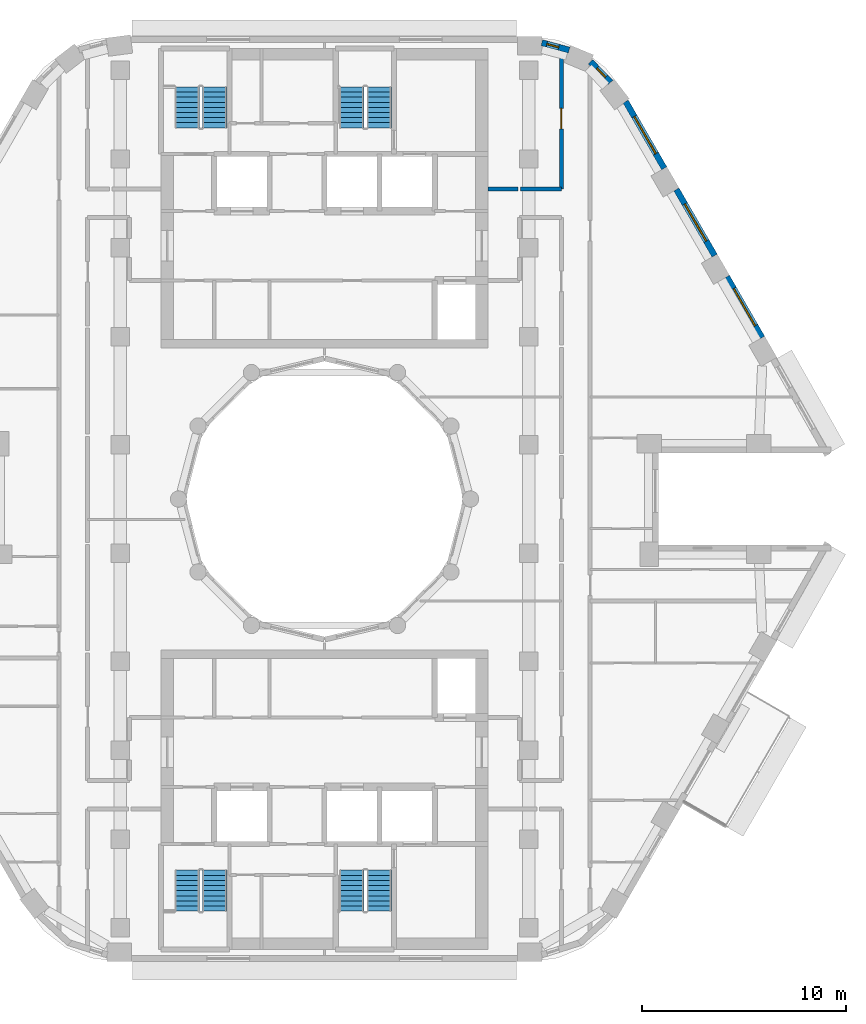
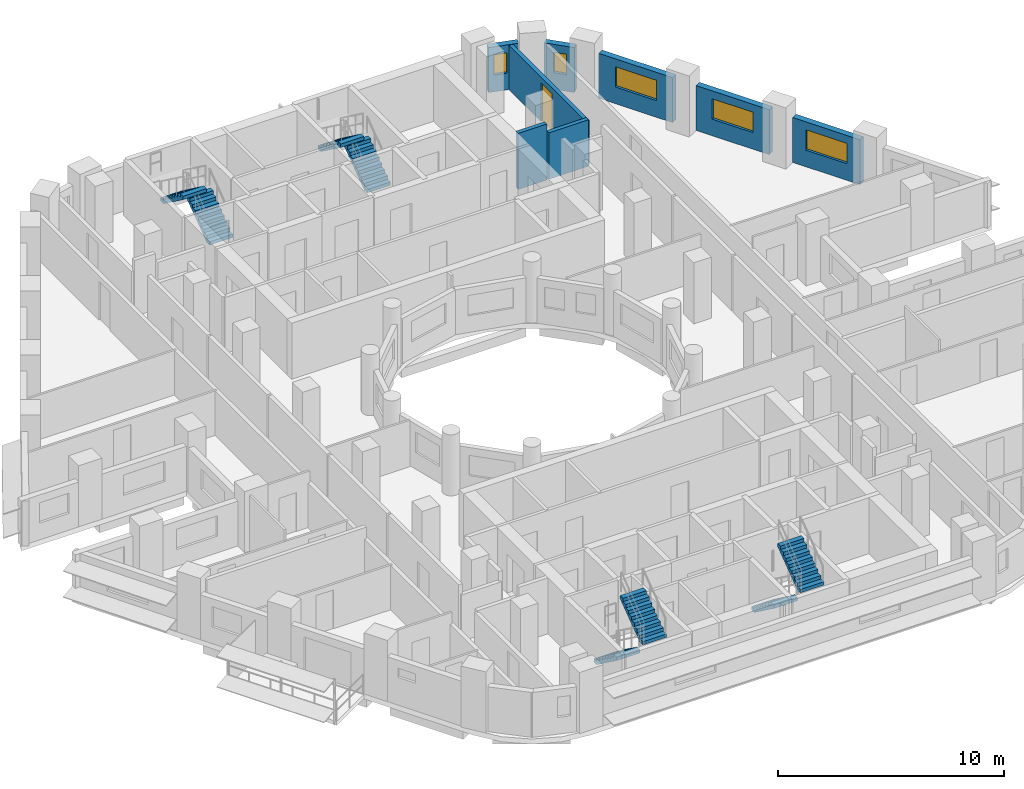
# One storey, part 9 of 15: 8 stair flights, 8 walls, 5 windows, 1 door, 6 openings, 4 elements without a shape of their own.
"""IFC4 building model written with IfcOpenShell, lengths in metres."""

from ifc_helpers import new_model, si_unit, direction, frame, frame_2d, origin, place, context, subcontext, project, spatial, polyline, rectangle, outline, extrude, material, layer, layer_set, type_object, element, fill, aggregate, save


model = new_model("IFC4")

# Units and contexts
model_context = context("Model", 3, precision=1e-05, world=origin(), true_north=direction((0.0, 1.0)))
body_context = subcontext(model_context, "Body", "Model", "MODEL_VIEW")
ifc_project = project(units=[si_unit("LENGTHUNIT", "METRE"), si_unit("AREAUNIT", "SQUARE_METRE"), si_unit("VOLUMEUNIT", "CUBIC_METRE"), si_unit("PLANEANGLEUNIT", "RADIAN"), si_unit("MASSUNIT", "GRAM", prefix="KILO")], contexts=[model_context])

# Site, building, storey
site_placement = place(None, origin())
site = spatial("IfcSite", under=ifc_project, at=site_placement, CompositionType="ELEMENT")
building_placement = place(site_placement, origin())
building = spatial("IfcBuilding", under=site, at=building_placement, Name="Nakaniwa Court", CompositionType="ELEMENT")
storey_placement = place(building_placement, frame((0.0, 0.0, 189.89990234375)))
storey = spatial("IfcBuildingStorey", under=building, at=storey_placement, Name="L49", CompositionType="ELEMENT", Elevation=189.89990234375)

# Wall, opening, door
ifc_material_1 = material(Name="Acoustic double stud partition")
ifc_layer_1 = layer(ifc_material_1, 0.199951171875)
ifc_layer_set_1 = layer_set([ifc_layer_1], Name="Acoustic double stud partition")
wall_type_1 = type_object("IfcWallType", Name="Acoustic double stud partition 200", PredefinedType="PARTITIONING", material=ifc_layer_set_1)
wall_1_placement = place(storey_placement, frame((91.60009765625, 95.175048828125, 0.0), z_axis=(0.0, 0.0, 1.0), x_axis=(0.0, 1.0, 0.0)))
wall_1 = element("IfcWall", 1, at=wall_1_placement, inside=storey, type_object=wall_type_1, Name="Partition PW-073", PredefinedType="PARTITIONING", context=body_context, shape_type="SweptSolid", body=[
    extrude(rectangle(XDim=6.898681640625, YDim=0.199951171875, at=frame_2d((3.44921875, 0.0))), origin(), (0.0, 0.0, 1.0), 2.405029296875),
])
opening_1_placement = place(wall_1_placement, frame((2.949951171875, 0.0, 0.0)))
opening_1 = element("IfcOpeningElement", 2, at=opening_1_placement, cuts=wall_1, Name="Opening D-02-09", PredefinedType="OPENING", context=body_context, shape_type="SweptSolid", body=[
    extrude(rectangle(XDim=1.0, YDim=2.10009765625, at=frame_2d((0.5, 1.050048828125))), frame((0.0, 0.10986328125, 0.0), z_axis=(0.0, -1.0, 0.0), x_axis=(1.0, 0.0, 0.0)), (0.0, 0.0, 1.0), 0.219970703125),
])
ifc_material_2 = material(Name="Solid core timber door set, black veneer", Category="wood")
door_type = type_object("IfcDoorType", Name="Internal door 1000", OperationType="NOTDEFINED", PredefinedType="DOOR", material=ifc_material_2)
door_placement = place(opening_1_placement, origin())
door = element("IfcDoor", 3, at=door_placement, inside=storey, type_object=door_type, Name="Door D-02-09 L49-049", OperationType="SINGLE_SWING_RIGHT", OverallHeight=2.10009765625, OverallWidth=1.0, PredefinedType="DOOR", context=body_context, shape_type="SweptSolid", body=[
    extrude(rectangle(XDim=1.0, YDim=2.10009765625, at=frame_2d((0.5, 1.050048828125))), frame((0.0, 0.02490234375, 0.0), z_axis=(0.0, -1.0, 0.0), x_axis=(1.0, 0.0, 0.0)), (0.0, 0.0, 1.0), 0.050048828125),
])
fill(opening_1, door)

# Walls
wall_2_placement = place(storey_placement, frame((88.0, 95.175048828125, 0.0), z_axis=(0.0, 0.0, 1.0), x_axis=(1.0, 0.0, 0.0)))
element("IfcWall", 4, at=wall_2_placement, inside=storey, type_object=wall_type_1, Name="Partition PW-093", PredefinedType="PARTITIONING", context=body_context, shape_type="SweptSolid", body=[
    extrude(rectangle(XDim=1.472900390625, YDim=0.199951171875, at=frame_2d((0.736328125, 0.0))), origin(), (0.0, 0.0, 1.0), 3.025146484375),
])
wall_3_placement = place(storey_placement, frame((89.587158203125, 95.175048828125, 0.0), z_axis=(0.0, 0.0, 1.0), x_axis=(1.0, 0.0, 0.0)))
element("IfcWall", 5, at=wall_3_placement, inside=storey, type_object=wall_type_1, Name="Partition PW-094", PredefinedType="PARTITIONING", context=body_context, shape_type="SweptSolid", body=[
    extrude(rectangle(XDim=2.012939453125, YDim=0.199951171875, at=frame_2d((1.00634765625, 0.0))), origin(), (0.0, 0.0, 1.0), 2.505126953125),
])

# Wall, opening, window
ifc_material_3 = material(Name="Charcoal ceramic cladding")
ifc_layer_2 = layer(ifc_material_3, 0.02, Name="Ceramic cladding")
ifc_material_4 = material(Name="Ventilated air cavity")
ifc_layer_3 = layer(ifc_material_4, 0.04, ventilated=True, Name="Ventilated cavity")
ifc_material_5 = material(Name="Mineral wool insulation")
ifc_layer_4 = layer(ifc_material_5, 0.1, Name="Insulation")
ifc_material_6 = material(Name="Cement bonded sheathing board")
ifc_layer_5 = layer(ifc_material_6, 0.012, Name="Sheathing")
ifc_material_7 = material(Name="Cold-formed galvanised stud frame with mineral wool infill")
ifc_layer_6 = layer(ifc_material_7, 0.1, Name="Stud frame")
ifc_material_8 = material(Name="Fire-rated gypsum plasterboard lining")
ifc_layer_7 = layer(ifc_material_8, 0.028, Name="Lining")
ifc_layer_set_2 = layer_set([ifc_layer_2, ifc_layer_3, ifc_layer_4, ifc_layer_5, ifc_layer_6, ifc_layer_7], Name="Charcoal ceramic faced external wall system")
wall_type_2 = type_object("IfcWallType", Name="Black ceramic faced external wall 300", PredefinedType="SOLIDWALL", material=ifc_layer_set_2)
wall_4_placement = place(storey_placement, frame((101.420654296875, 87.898193359375, 0.0), z_axis=(0.0, 0.0, 1.0), x_axis=(-0.499955427682, 0.866051136095, 0.0)))
wall_4 = element("IfcWall", 6, at=wall_4_placement, inside=storey, type_object=wall_type_2, Name="L49 external wall 03", PredefinedType="SOLIDWALL", context=body_context, shape_type="SweptSolid", body=[
    extrude(rectangle(XDim=3.447021484375, YDim=0.300048828125, at=frame_2d((1.7236328125, 0.0))), origin(), (0.0, 0.0, 1.0), 2.425048828125),
])
opening_2_placement = place(wall_4_placement, frame((0.673583984375, 0.0, 0.89990234375)))
opening_2 = element("IfcOpeningElement", 7, at=opening_2_placement, cuts=wall_4, Name="Opening W7.03", PredefinedType="OPENING", context=body_context, shape_type="SweptSolid", body=[
    extrude(rectangle(XDim=2.10009765625, YDim=1.10009765625, at=frame_2d((1.050048828125, 0.550048828125))), frame((0.0, 0.159912109375, 0.0), z_axis=(0.0, -1.0, 0.0), x_axis=(1.0, 0.0, 0.0)), (0.0, 0.0, 1.0), 0.320068359375),
])
ifc_material_9 = material(Name="Black anodised aluminium frame with dark low-E laminated double glazing", Category="aluminium")
window_type_1 = type_object("IfcWindowType", Name="Dark glass window 2100x1100 sill 900", PartitioningType="SINGLE_PANEL", PredefinedType="WINDOW", material=ifc_material_9)
window_1_placement = place(opening_2_placement, origin())
window_1 = element("IfcWindow", 8, at=window_1_placement, inside=storey, type_object=window_type_1, Name="L49 habitable room window 03-0", OverallHeight=1.10009765625, OverallWidth=2.10009765625, PartitioningType="SINGLE_PANEL", PredefinedType="WINDOW", context=body_context, shape_type="SweptSolid", body=[
    extrude(rectangle(XDim=2.10009765625, YDim=1.10009765625, at=frame_2d((1.050048828125, 0.550048828125))), frame((0.0, 0.030029296875, 0.0), z_axis=(0.0, -1.0, 0.0), x_axis=(1.0, 0.0, 0.0)), (0.0, 0.0, 1.0), 0.06005859375),
])
fill(opening_2, window_1)

wall_5_placement = place(storey_placement, frame((99.101318359375, 91.916015625, 0.0), z_axis=(0.0, 0.0, 1.0), x_axis=(-0.500059225181, 0.86599120741, 0.0)))
wall_5 = element("IfcWall", 9, at=wall_5_placement, inside=storey, type_object=wall_type_2, Name="L49 external wall 04", PredefinedType="SOLIDWALL", context=body_context, shape_type="SweptSolid", body=[
    extrude(rectangle(XDim=3.744140625, YDim=0.300048828125, at=frame_2d((1.8720703125, 0.0))), origin(), (0.0, 0.0, 1.0), 2.425048828125),
])
opening_3_placement = place(wall_5_placement, frame((0.822265625, 0.0, 0.89990234375)))
opening_3 = element("IfcOpeningElement", 10, at=opening_3_placement, cuts=wall_5, Name="Opening W7.04", PredefinedType="OPENING", context=body_context, shape_type="SweptSolid", body=[
    extrude(rectangle(XDim=2.10009765625, YDim=1.10009765625, at=frame_2d((1.050048828125, 0.550048828125))), frame((0.0, 0.159912109375, 0.0), z_axis=(0.0, -1.0, 0.0), x_axis=(1.0, 0.0, 0.0)), (0.0, 0.0, 1.0), 0.320068359375),
])
window_2_placement = place(opening_3_placement, origin())
window_2 = element("IfcWindow", 11, at=window_2_placement, inside=storey, type_object=window_type_1, Name="L49 habitable room window 04-0", OverallHeight=1.10009765625, OverallWidth=2.10009765625, PartitioningType="SINGLE_PANEL", PredefinedType="WINDOW", context=body_context, shape_type="SweptSolid", body=[
    extrude(rectangle(XDim=2.10009765625, YDim=1.10009765625, at=frame_2d((1.050048828125, 0.550048828125))), frame((0.0, 0.030029296875, 0.0), z_axis=(0.0, -1.0, 0.0), x_axis=(1.0, 0.0, 0.0)), (0.0, 0.0, 1.0), 0.06005859375),
])
fill(opening_3, window_2)

wall_6_placement = place(storey_placement, frame((96.633056640625, 96.190673828125, 0.0), z_axis=(0.0, 0.0, 1.0), x_axis=(-0.499961087031, 0.866047869032, 0.0)))
wall_6 = element("IfcWall", 12, at=wall_6_placement, inside=storey, type_object=wall_type_2, Name="L49 external wall 05", PredefinedType="SOLIDWALL", context=body_context, shape_type="SweptSolid", body=[
    extrude(rectangle(XDim=3.778564453125, YDim=0.300048828125, at=frame_2d((1.88916015625, 0.0))), origin(), (0.0, 0.0, 1.0), 2.425048828125),
])
opening_4_placement = place(wall_6_placement, frame((0.827880859375, 0.0, 0.89990234375)))
opening_4 = element("IfcOpeningElement", 13, at=opening_4_placement, cuts=wall_6, Name="Opening W7.05", PredefinedType="OPENING", context=body_context, shape_type="SweptSolid", body=[
    extrude(rectangle(XDim=2.10009765625, YDim=1.10009765625, at=frame_2d((1.050048828125, 0.550048828125))), frame((0.0, 0.159912109375, 0.0), z_axis=(0.0, -1.0, 0.0), x_axis=(1.0, 0.0, 0.0)), (0.0, 0.0, 1.0), 0.320068359375),
])
window_3_placement = place(opening_4_placement, origin())
window_3 = element("IfcWindow", 14, at=window_3_placement, inside=storey, type_object=window_type_1, Name="L49 habitable room window 05-0", OverallHeight=1.10009765625, OverallWidth=2.10009765625, PartitioningType="SINGLE_PANEL", PredefinedType="WINDOW", context=body_context, shape_type="SweptSolid", body=[
    extrude(rectangle(XDim=2.10009765625, YDim=1.10009765625, at=frame_2d((1.050048828125, 0.550048828125))), frame((0.0, 0.030029296875, 0.0), z_axis=(0.0, -1.0, 0.0), x_axis=(1.0, 0.0, 0.0)), (0.0, 0.0, 1.0), 0.06005859375),
])
fill(opening_4, window_3)

wall_7_placement = place(storey_placement, frame((94.009033203125, 100.40185546875, 0.0), z_axis=(0.0, 0.0, 1.0), x_axis=(-0.69817596362, 0.715926199984, 0.0)))
wall_7 = element("IfcWall", 15, at=wall_7_placement, inside=storey, type_object=wall_type_2, Name="L49 external wall 06", PredefinedType="SOLIDWALL", context=body_context, shape_type="SweptSolid", body=[
    extrude(rectangle(XDim=1.40283203125, YDim=0.300048828125, at=frame_2d((0.701416015625, 0.0))), origin(), (0.0, 0.0, 1.0), 2.425048828125),
])
opening_5_placement = place(wall_7_placement, frame((0.35986328125, 0.0, 0.89990234375)))
opening_5 = element("IfcOpeningElement", 16, at=opening_5_placement, cuts=wall_7, Name="Opening W8.06", PredefinedType="OPENING", context=body_context, shape_type="SweptSolid", body=[
    extrude(rectangle(XDim=0.60009765625, YDim=1.10009765625, at=frame_2d((0.300048828125, 0.550048828125))), frame((0.0, 0.159912109375, 0.0), z_axis=(0.0, -1.0, 0.0), x_axis=(1.0, 0.0, 0.0)), (0.0, 0.0, 1.0), 0.320068359375),
])
window_type_2 = type_object("IfcWindowType", Name="Dark glass window 600x1100 sill 900", PartitioningType="SINGLE_PANEL", PredefinedType="WINDOW", material=ifc_material_9)
window_4_placement = place(opening_5_placement, origin())
window_4 = element("IfcWindow", 17, at=window_4_placement, inside=storey, type_object=window_type_2, Name="L49 habitable room window 06-0", OverallHeight=1.10009765625, OverallWidth=0.60009765625, PartitioningType="SINGLE_PANEL", PredefinedType="WINDOW", context=body_context, shape_type="SweptSolid", body=[
    extrude(rectangle(XDim=0.60009765625, YDim=1.10009765625, at=frame_2d((0.300048828125, 0.550048828125))), frame((0.0, 0.030029296875, 0.0), z_axis=(0.0, -1.0, 0.0), x_axis=(1.0, 0.0, 0.0)), (0.0, 0.0, 1.0), 0.06005859375),
])
fill(opening_5, window_4)

wall_8_placement = place(storey_placement, frame((91.977294921875, 101.981201171875, 0.0), z_axis=(0.0, 0.0, 1.0), x_axis=(-0.965315341278, 0.261086751661, 0.0)))
wall_8 = element("IfcWall", 18, at=wall_8_placement, inside=storey, type_object=wall_type_2, Name="L49 external wall 07", PredefinedType="SOLIDWALL", context=body_context, shape_type="SweptSolid", body=[
    extrude(rectangle(XDim=1.384033203125, YDim=0.300048828125, at=frame_2d((0.69189453125, 0.0))), origin(), (0.0, 0.0, 1.0), 2.425048828125),
])
opening_6_placement = place(wall_8_placement, frame((0.529296875, 0.0, 0.89990234375)))
opening_6 = element("IfcOpeningElement", 19, at=opening_6_placement, cuts=wall_8, Name="Opening W8.07", PredefinedType="OPENING", context=body_context, shape_type="SweptSolid", body=[
    extrude(rectangle(XDim=0.60009765625, YDim=1.10009765625, at=frame_2d((0.300048828125, 0.550048828125))), frame((0.0, 0.159912109375, 0.0), z_axis=(0.0, -1.0, 0.0), x_axis=(1.0, 0.0, 0.0)), (0.0, 0.0, 1.0), 0.320068359375),
])
window_5_placement = place(opening_6_placement, origin())
window_5 = element("IfcWindow", 20, at=window_5_placement, inside=storey, type_object=window_type_2, Name="L49 habitable room window 07-1", OverallHeight=1.10009765625, OverallWidth=0.60009765625, PartitioningType="SINGLE_PANEL", PredefinedType="WINDOW", context=body_context, shape_type="SweptSolid", body=[
    extrude(rectangle(XDim=0.60009765625, YDim=1.10009765625, at=frame_2d((0.300048828125, 0.550048828125))), frame((0.0, 0.030029296875, 0.0), z_axis=(0.0, -1.0, 0.0), x_axis=(1.0, 0.0, 0.0)), (0.0, 0.0, 1.0), 0.06005859375),
])
fill(opening_6, window_5)

# Stair, stair flights
ifc_material_10 = material(Name="Concrete C80/100", Category="concrete")
stair_type = type_object("IfcStairType", Name="Dog leg stair 1200 wide 18 risers", PredefinedType="HALF_TURN_STAIR", material=ifc_material_10)
stair_1_placement = place(storey_placement, origin())
stair_1 = element("IfcStair", 21, at=stair_1_placement, inside=storey, type_object=stair_type, Name="L49 Stair ST1", PredefinedType="HALF_TURN_STAIR")
stair_flight_type = type_object("IfcStairFlightType", Name="Stair flight 1200 wide 9 risers", PredefinedType="STRAIGHT", material=ifc_material_10)
stair_flight_1_placement = place(storey_placement, frame((74.625, 98.175048828125, 0.0), z_axis=(0.0, 0.0, 1.0), x_axis=(0.0, 1.0, 0.0)))
stair_flight_1 = element("IfcStairFlight", 22, at=stair_flight_1_placement, type_object=stair_flight_type, Name="ST1 flight 1", NumberOfRisers=9, NumberOfTreads=8, PredefinedType="STRAIGHT", RiserHeight=0.183333333, TreadLength=0.25, context=body_context, shape_type="SweptSolid", body=[
    extrude(outline(polyline([(0.0, 0.0), (0.0, 0.026123046875), (0.0, 0.052490234375), (0.0, 0.07861328125), (0.0, 0.104736328125), (0.0, 0.130859375), (0.0, 0.1572265625), (0.0, 0.183349609375), (0.25, 0.183349609375), (0.25, 0.36669921875), (0.5, 0.36669921875), (0.5, 0.550048828125), (0.75, 0.550048828125), (0.75, 0.7333984375), (1.0, 0.7333984375), (1.0, 0.916748046875), (1.25, 0.916748046875), (1.25, 1.10009765625), (1.5, 1.10009765625), (1.5, 1.283447265625), (1.75, 1.283447265625), (1.75, 1.466552734375), (2.0, 1.466552734375), (2.0, 1.64990234375), (2.0, 1.59716796875), (2.0, 1.54443359375), (2.0, 1.49169921875), (2.0, 1.43896484375), (2.0, 1.38623046875), (2.0, 1.33349609375), (2.0, 1.28076171875), (0.25341796875, 0.0), (0.0, 0.0)])), frame((0.0, 0.60009765625, 0.0), z_axis=(0.0, -1.0, 0.0), x_axis=(1.0, 0.0, 0.0)), (0.0, 0.0, 1.0), 1.199951171875),
])
stair_flight_2_placement = place(storey_placement, frame((73.27490234375, 100.175048828125, 1.650146484375), z_axis=(0.0, 0.0, 1.0), x_axis=(0.0, -1.0, 0.0)))
stair_flight_2 = element("IfcStairFlight", 23, at=stair_flight_2_placement, type_object=stair_flight_type, Name="ST1 flight 2", NumberOfRisers=9, NumberOfTreads=8, PredefinedType="STRAIGHT", RiserHeight=0.183333333, TreadLength=0.25, context=body_context, shape_type="SweptSolid", body=[
    extrude(outline(polyline([(0.0, 0.0), (0.0, 0.026123046875), (0.0, 0.052490234375), (0.0, 0.07861328125), (0.0, 0.104736328125), (0.0, 0.130859375), (0.0, 0.1572265625), (0.0, 0.183349609375), (0.25, 0.183349609375), (0.25, 0.36669921875), (0.5, 0.36669921875), (0.5, 0.550048828125), (0.75, 0.550048828125), (0.75, 0.7333984375), (1.0, 0.7333984375), (1.0, 0.916748046875), (1.25, 0.916748046875), (1.25, 1.10009765625), (1.5, 1.10009765625), (1.5, 1.283447265625), (1.75, 1.283447265625), (1.75, 1.466552734375), (2.0, 1.466552734375), (2.0, 1.64990234375), (2.0, 1.59716796875), (2.0, 1.54443359375), (2.0, 1.49169921875), (2.0, 1.43896484375), (2.0, 1.38623046875), (2.0, 1.33349609375), (2.0, 1.28076171875), (0.25341796875, 0.0), (0.0, 0.0)])), frame((0.0, 0.60009765625, 0.0), z_axis=(0.0, -1.0, 0.0), x_axis=(1.0, 0.0, 0.0)), (0.0, 0.0, 1.0), 1.199951171875),
])
aggregate(stair_1, [stair_flight_1, stair_flight_2])

stair_2_placement = place(storey_placement, origin())
stair_2 = element("IfcStair", 24, at=stair_2_placement, inside=storey, type_object=stair_type, Name="L49 Stair ST2", PredefinedType="HALF_TURN_STAIR")
stair_flight_3_placement = place(storey_placement, frame((82.675048828125, 98.175048828125, 0.0), z_axis=(0.0, 0.0, 1.0), x_axis=(0.0, 1.0, 0.0)))
stair_flight_3 = element("IfcStairFlight", 25, at=stair_flight_3_placement, type_object=stair_flight_type, Name="ST2 flight 1", NumberOfRisers=9, NumberOfTreads=8, PredefinedType="STRAIGHT", RiserHeight=0.183333333, TreadLength=0.25, context=body_context, shape_type="SweptSolid", body=[
    extrude(outline(polyline([(0.0, 0.0), (0.0, 0.026123046875), (0.0, 0.052490234375), (0.0, 0.07861328125), (0.0, 0.104736328125), (0.0, 0.130859375), (0.0, 0.1572265625), (0.0, 0.183349609375), (0.25, 0.183349609375), (0.25, 0.36669921875), (0.5, 0.36669921875), (0.5, 0.550048828125), (0.75, 0.550048828125), (0.75, 0.7333984375), (1.0, 0.7333984375), (1.0, 0.916748046875), (1.25, 0.916748046875), (1.25, 1.10009765625), (1.5, 1.10009765625), (1.5, 1.283447265625), (1.75, 1.283447265625), (1.75, 1.466552734375), (2.0, 1.466552734375), (2.0, 1.64990234375), (2.0, 1.59716796875), (2.0, 1.54443359375), (2.0, 1.49169921875), (2.0, 1.43896484375), (2.0, 1.38623046875), (2.0, 1.33349609375), (2.0, 1.28076171875), (0.25341796875, 0.0), (0.0, 0.0)])), frame((0.0, 0.60009765625, 0.0), z_axis=(0.0, -1.0, 0.0), x_axis=(1.0, 0.0, 0.0)), (0.0, 0.0, 1.0), 1.199951171875),
])
stair_flight_4_placement = place(storey_placement, frame((81.324951171875, 100.175048828125, 1.650146484375), z_axis=(0.0, 0.0, 1.0), x_axis=(0.0, -1.0, 0.0)))
stair_flight_4 = element("IfcStairFlight", 26, at=stair_flight_4_placement, type_object=stair_flight_type, Name="ST2 flight 2", NumberOfRisers=9, NumberOfTreads=8, PredefinedType="STRAIGHT", RiserHeight=0.183333333, TreadLength=0.25, context=body_context, shape_type="SweptSolid", body=[
    extrude(outline(polyline([(0.0, 0.0), (0.0, 0.026123046875), (0.0, 0.052490234375), (0.0, 0.07861328125), (0.0, 0.104736328125), (0.0, 0.130859375), (0.0, 0.1572265625), (0.0, 0.183349609375), (0.25, 0.183349609375), (0.25, 0.36669921875), (0.5, 0.36669921875), (0.5, 0.550048828125), (0.75, 0.550048828125), (0.75, 0.7333984375), (1.0, 0.7333984375), (1.0, 0.916748046875), (1.25, 0.916748046875), (1.25, 1.10009765625), (1.5, 1.10009765625), (1.5, 1.283447265625), (1.75, 1.283447265625), (1.75, 1.466552734375), (2.0, 1.466552734375), (2.0, 1.64990234375), (2.0, 1.59716796875), (2.0, 1.54443359375), (2.0, 1.49169921875), (2.0, 1.43896484375), (2.0, 1.38623046875), (2.0, 1.33349609375), (2.0, 1.28076171875), (0.25341796875, 0.0), (0.0, 0.0)])), frame((0.0, 0.60009765625, 0.0), z_axis=(0.0, -1.0, 0.0), x_axis=(1.0, 0.0, 0.0)), (0.0, 0.0, 1.0), 1.199951171875),
])
aggregate(stair_2, [stair_flight_3, stair_flight_4])

stair_3_placement = place(storey_placement, origin())
stair_3 = element("IfcStair", 27, at=stair_3_placement, inside=storey, type_object=stair_type, Name="L49 Stair ST3", PredefinedType="HALF_TURN_STAIR")
stair_flight_5_placement = place(storey_placement, frame((73.27490234375, 61.824951171875, 0.0), z_axis=(0.0, 0.0, 1.0), x_axis=(0.0, -1.0, 0.0)))
stair_flight_5 = element("IfcStairFlight", 28, at=stair_flight_5_placement, type_object=stair_flight_type, Name="ST3 flight 1", NumberOfRisers=9, NumberOfTreads=8, PredefinedType="STRAIGHT", RiserHeight=0.183333333, TreadLength=0.25, context=body_context, shape_type="SweptSolid", body=[
    extrude(outline(polyline([(0.0, 0.0), (0.0, 0.026123046875), (0.0, 0.052490234375), (0.0, 0.07861328125), (0.0, 0.104736328125), (0.0, 0.130859375), (0.0, 0.1572265625), (0.0, 0.183349609375), (0.25, 0.183349609375), (0.25, 0.36669921875), (0.5, 0.36669921875), (0.5, 0.550048828125), (0.75, 0.550048828125), (0.75, 0.7333984375), (1.0, 0.7333984375), (1.0, 0.916748046875), (1.25, 0.916748046875), (1.25, 1.10009765625), (1.5, 1.10009765625), (1.5, 1.283447265625), (1.75, 1.283447265625), (1.75, 1.466552734375), (2.0, 1.466552734375), (2.0, 1.64990234375), (2.0, 1.59716796875), (2.0, 1.54443359375), (2.0, 1.49169921875), (2.0, 1.43896484375), (2.0, 1.38623046875), (2.0, 1.33349609375), (2.0, 1.28076171875), (0.25341796875, 0.0), (0.0, 0.0)])), frame((0.0, 0.60009765625, 0.0), z_axis=(0.0, -1.0, 0.0), x_axis=(1.0, 0.0, 0.0)), (0.0, 0.0, 1.0), 1.199951171875),
])
stair_flight_6_placement = place(storey_placement, frame((74.625, 59.824951171875, 1.650146484375), z_axis=(0.0, 0.0, 1.0), x_axis=(0.0, 1.0, 0.0)))
stair_flight_6 = element("IfcStairFlight", 29, at=stair_flight_6_placement, type_object=stair_flight_type, Name="ST3 flight 2", NumberOfRisers=9, NumberOfTreads=8, PredefinedType="STRAIGHT", RiserHeight=0.183333333, TreadLength=0.25, context=body_context, shape_type="SweptSolid", body=[
    extrude(outline(polyline([(0.0, 0.0), (0.0, 0.026123046875), (0.0, 0.052490234375), (0.0, 0.07861328125), (0.0, 0.104736328125), (0.0, 0.130859375), (0.0, 0.1572265625), (0.0, 0.183349609375), (0.25, 0.183349609375), (0.25, 0.36669921875), (0.5, 0.36669921875), (0.5, 0.550048828125), (0.75, 0.550048828125), (0.75, 0.7333984375), (1.0, 0.7333984375), (1.0, 0.916748046875), (1.25, 0.916748046875), (1.25, 1.10009765625), (1.5, 1.10009765625), (1.5, 1.283447265625), (1.75, 1.283447265625), (1.75, 1.466552734375), (2.0, 1.466552734375), (2.0, 1.64990234375), (2.0, 1.59716796875), (2.0, 1.54443359375), (2.0, 1.49169921875), (2.0, 1.43896484375), (2.0, 1.38623046875), (2.0, 1.33349609375), (2.0, 1.28076171875), (0.25341796875, 0.0), (0.0, 0.0)])), frame((0.0, 0.60009765625, 0.0), z_axis=(0.0, -1.0, 0.0), x_axis=(1.0, 0.0, 0.0)), (0.0, 0.0, 1.0), 1.199951171875),
])
aggregate(stair_3, [stair_flight_5, stair_flight_6])

stair_4_placement = place(storey_placement, origin())
stair_4 = element("IfcStair", 30, at=stair_4_placement, inside=storey, type_object=stair_type, Name="L49 Stair ST4", PredefinedType="HALF_TURN_STAIR")
stair_flight_7_placement = place(storey_placement, frame((81.324951171875, 61.824951171875, 0.0), z_axis=(0.0, 0.0, 1.0), x_axis=(0.0, -1.0, 0.0)))
stair_flight_7 = element("IfcStairFlight", 31, at=stair_flight_7_placement, type_object=stair_flight_type, Name="ST4 flight 1", NumberOfRisers=9, NumberOfTreads=8, PredefinedType="STRAIGHT", RiserHeight=0.183333333, TreadLength=0.25, context=body_context, shape_type="SweptSolid", body=[
    extrude(outline(polyline([(0.0, 0.0), (0.0, 0.026123046875), (0.0, 0.052490234375), (0.0, 0.07861328125), (0.0, 0.104736328125), (0.0, 0.130859375), (0.0, 0.1572265625), (0.0, 0.183349609375), (0.25, 0.183349609375), (0.25, 0.36669921875), (0.5, 0.36669921875), (0.5, 0.550048828125), (0.75, 0.550048828125), (0.75, 0.7333984375), (1.0, 0.7333984375), (1.0, 0.916748046875), (1.25, 0.916748046875), (1.25, 1.10009765625), (1.5, 1.10009765625), (1.5, 1.283447265625), (1.75, 1.283447265625), (1.75, 1.466552734375), (2.0, 1.466552734375), (2.0, 1.64990234375), (2.0, 1.59716796875), (2.0, 1.54443359375), (2.0, 1.49169921875), (2.0, 1.43896484375), (2.0, 1.38623046875), (2.0, 1.33349609375), (2.0, 1.28076171875), (0.25341796875, 0.0), (0.0, 0.0)])), frame((0.0, 0.60009765625, 0.0), z_axis=(0.0, -1.0, 0.0), x_axis=(1.0, 0.0, 0.0)), (0.0, 0.0, 1.0), 1.199951171875),
])
stair_flight_8_placement = place(storey_placement, frame((82.675048828125, 59.824951171875, 1.650146484375), z_axis=(0.0, 0.0, 1.0), x_axis=(0.0, 1.0, 0.0)))
stair_flight_8 = element("IfcStairFlight", 32, at=stair_flight_8_placement, type_object=stair_flight_type, Name="ST4 flight 2", NumberOfRisers=9, NumberOfTreads=8, PredefinedType="STRAIGHT", RiserHeight=0.183333333, TreadLength=0.25, context=body_context, shape_type="SweptSolid", body=[
    extrude(outline(polyline([(0.0, 0.0), (0.0, 0.026123046875), (0.0, 0.052490234375), (0.0, 0.07861328125), (0.0, 0.104736328125), (0.0, 0.130859375), (0.0, 0.1572265625), (0.0, 0.183349609375), (0.25, 0.183349609375), (0.25, 0.36669921875), (0.5, 0.36669921875), (0.5, 0.550048828125), (0.75, 0.550048828125), (0.75, 0.7333984375), (1.0, 0.7333984375), (1.0, 0.916748046875), (1.25, 0.916748046875), (1.25, 1.10009765625), (1.5, 1.10009765625), (1.5, 1.283447265625), (1.75, 1.283447265625), (1.75, 1.466552734375), (2.0, 1.466552734375), (2.0, 1.64990234375), (2.0, 1.59716796875), (2.0, 1.54443359375), (2.0, 1.49169921875), (2.0, 1.43896484375), (2.0, 1.38623046875), (2.0, 1.33349609375), (2.0, 1.28076171875), (0.25341796875, 0.0), (0.0, 0.0)])), frame((0.0, 0.60009765625, 0.0), z_axis=(0.0, -1.0, 0.0), x_axis=(1.0, 0.0, 0.0)), (0.0, 0.0, 1.0), 1.199951171875),
])
aggregate(stair_4, [stair_flight_7, stair_flight_8])

save(model, "model.ifc")
